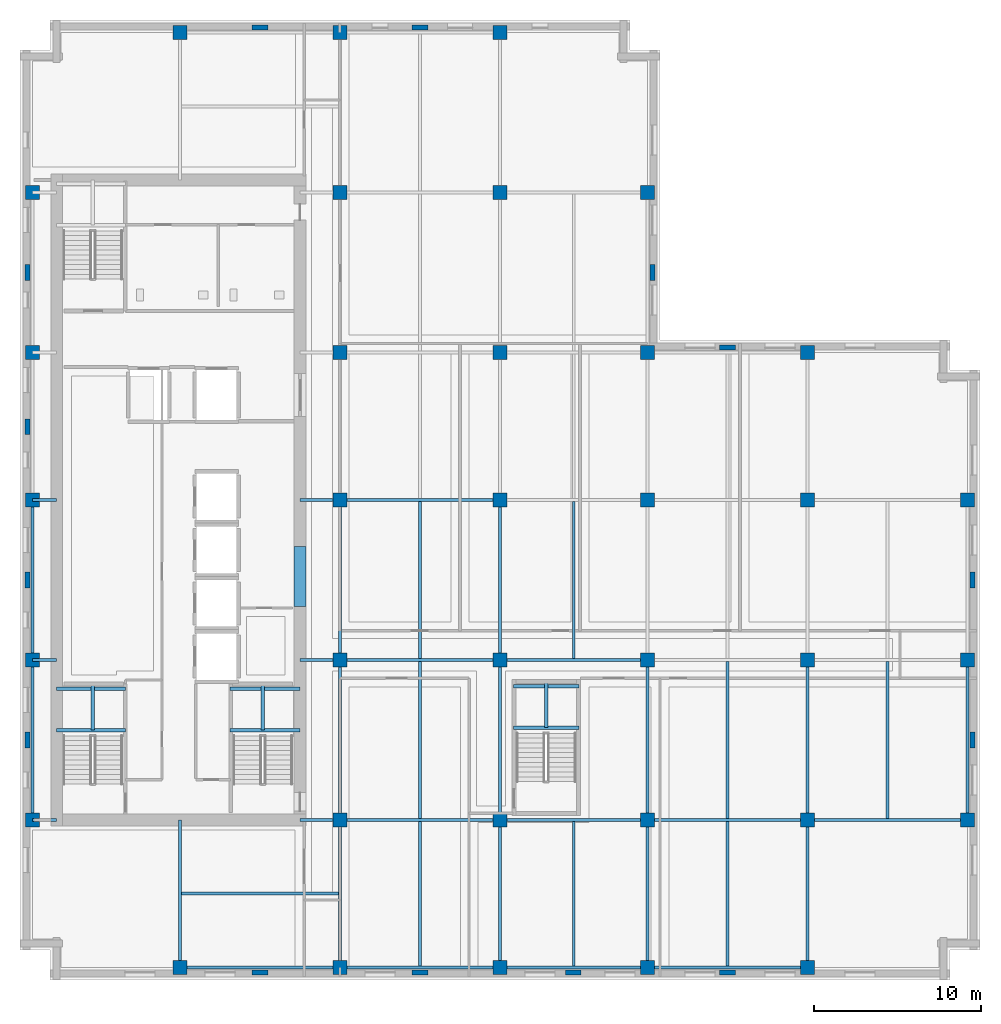
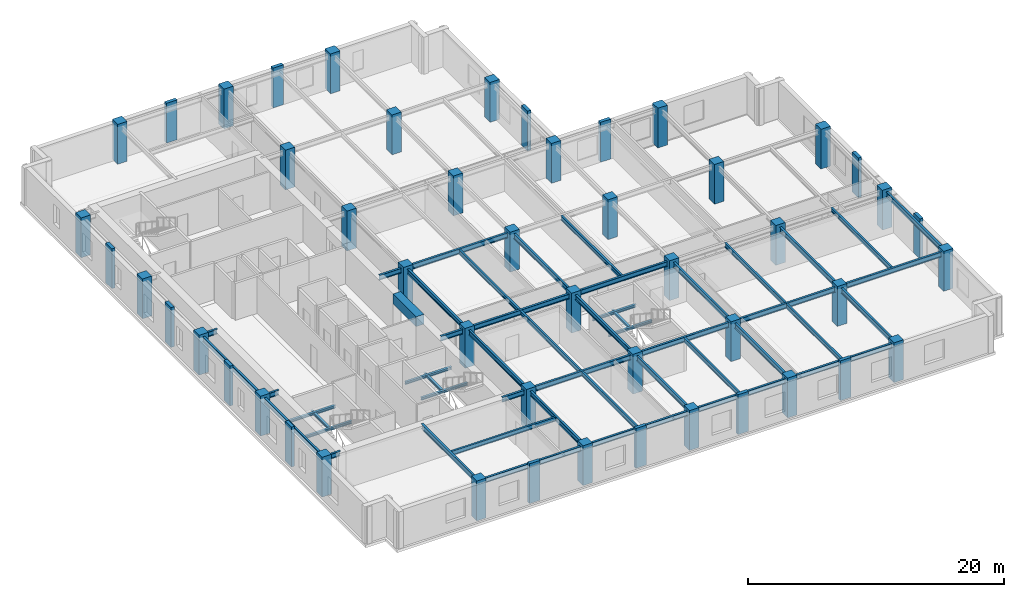
# One storey, part 1 of 11: 50 beams, 49 columns.
"""IFC4 building model written with IfcOpenShell, lengths in metres."""

from ifc_helpers import new_model, si_unit, direction, frame, origin, origin_2d, place, context, subcontext, project, spatial, rectangle, i_section, extrude, material, material_profile, profile_set, type_object, element, save


model = new_model("IFC4")

# Units and contexts
model_context = context("Model", 3, precision=1e-05, world=origin(), true_north=direction((0.0, 1.0)))
body_context = subcontext(model_context, "Body", "Model", "MODEL_VIEW")
ifc_project = project(units=[si_unit("LENGTHUNIT", "METRE"), si_unit("AREAUNIT", "SQUARE_METRE"), si_unit("VOLUMEUNIT", "CUBIC_METRE"), si_unit("PLANEANGLEUNIT", "RADIAN"), si_unit("MASSUNIT", "GRAM", prefix="KILO")], contexts=[model_context])

# Site, building, storey
site_placement = place(None, origin())
site = spatial("IfcSite", under=ifc_project, at=site_placement, CompositionType="ELEMENT")
building_placement = place(site_placement, origin())
building = spatial("IfcBuilding", under=site, at=building_placement, Name="Norrvale University Quadrangle", CompositionType="ELEMENT")
storey_placement = place(building_placement, frame((0.0, 0.0, 206.60009765625)))
storey = spatial("IfcBuildingStorey", under=building, at=storey_placement, Name="L52", CompositionType="ELEMENT", Elevation=206.60009765625)

# Columns
ifc_material_1 = material(Name="Red Manganese Brick Concrete C60/75", Category="concrete")
ifc_material_profile_1 = material_profile(ifc_material_1, rectangle(XDim=0.949951171875, YDim=0.300048828125, at=origin_2d()), Name="Red Manganese Brick Concrete C60/75")
ifc_profile_set_1 = profile_set([ifc_material_profile_1], Name="Red Manganese Brick Concrete C60/75")
column_type_1 = type_object("IfcColumnType", Name="Column Brick Pier 950x300", PredefinedType="PILASTER", material=ifc_profile_set_1)
for number, where, z_axis, x_axis, name in (
    (1, (0.449951171875, 14.39990234375, 0.0), (0.0, 0.0, 1.0), (0.0, 1.0, 0.0), "Exterior Brick Facade Pilaster L52-01"),
    (2, (0.449951171875, 24.0, 0.0), (0.0, 0.0, 1.0), (0.0, 1.0, 0.0), "Exterior Brick Facade Pilaster L52-02"),
    (3, (0.449951171875, 33.199951171875, 0.0), (0.0, 0.0, 1.0), (0.0, 1.0, 0.0), "Exterior Brick Facade Pilaster L52-03"),
    (4, (0.449951171875, 42.449951171875, 0.0), (0.0, 0.0, 1.0), (0.0, 1.0, 0.0), "Exterior Brick Facade Pilaster L52-04"),
    (5, (14.39990234375, 0.449951171875, 0.0), (0.0, 0.0, 1.0), (1.0, 0.0, 0.0), "Exterior Brick Facade Pilaster L52-05"),
    (6, (24.0, 0.449951171875, 0.0), (0.0, 0.0, 1.0), (1.0, 0.0, 0.0), "Exterior Brick Facade Pilaster L52-06"),
    (7, (33.199951171875, 0.449951171875, 0.0), (0.0, 0.0, 1.0), (1.0, 0.0, 0.0), "Exterior Brick Facade Pilaster L52-07"),
    (8, (42.449951171875, 0.449951171875, 0.0), (0.0, 0.0, 1.0), (1.0, 0.0, 0.0), "Exterior Brick Facade Pilaster L52-08"),
    (9, (57.14990234375, 14.39990234375, 0.0), (0.0, 0.0, 1.0), (0.0, 1.0, 0.0), "Exterior Brick Facade Pilaster L52-09"),
    (10, (57.14990234375, 24.0, 0.0), (0.0, 0.0, 1.0), (0.0, 1.0, 0.0), "Exterior Brick Facade Pilaster L52-10"),
    (11, (14.39990234375, 57.14990234375, 0.0), (0.0, 0.0, 1.0), (1.0, 0.0, 0.0), "Exterior Brick Facade Pilaster L52-11"),
    (12, (24.0, 57.14990234375, 0.0), (0.0, 0.0, 1.0), (1.0, 0.0, 0.0), "Exterior Brick Facade Pilaster L52-12"),
    (13, (37.949951171875, 42.449951171875, 0.0), (0.0, 0.0, 1.0), (0.0, 1.0, 0.0), "Exterior Brick Facade Pilaster L52-13"),
    (14, (42.449951171875, 37.949951171875, 0.0), (0.0, 0.0, 1.0), (1.0, 0.0, 0.0), "Exterior Brick Facade Pilaster L52-14"),
):
    element("IfcColumn", number, at=place(storey_placement, frame(where, z_axis=z_axis, x_axis=x_axis)), inside=storey, type_object=column_type_1, Name=name, PredefinedType="PILASTER", context=body_context, shape_type="SweptSolid", body=[
        extrude(rectangle(XDim=0.949951171875, YDim=0.300048828125, at=origin_2d()), origin(), (0.0, 0.0, 1.0), 3.7998046875),
    ])
ifc_material_2 = material(Name="Concrete C60/75", Category="concrete")
ifc_material_profile_2 = material_profile(ifc_material_2, rectangle(XDim=0.85009765625, YDim=0.85009765625, at=origin_2d()), Name="Concrete C60/75")
ifc_profile_set_2 = profile_set([ifc_material_profile_2], Name="Concrete C60/75")
column_type_2 = type_object("IfcColumnType", Name="Column Tower Z3 850x850", PredefinedType="COLUMN", material=ifc_profile_set_2)
for number, where, z_axis, x_axis, name in (
    (15, (0.75, 9.60009765625, 0.0), (0.0, 0.0, 1.0), (1.0, 0.0, 0.0), "Tower Column L52-T01"),
    (16, (0.75, 19.199951171875, 0.0), (0.0, 0.0, 1.0), (1.0, 0.0, 0.0), "Tower Column L52-T02"),
    (17, (0.75, 28.800048828125, 0.0), (0.0, 0.0, 1.0), (1.0, 0.0, 0.0), "Tower Column L52-T03"),
    (18, (0.75, 37.64990234375, 0.0), (0.0, 0.0, 1.0), (1.0, 0.0, 0.0), "Tower Column L52-T04"),
    (19, (0.75, 47.25, 0.0), (0.0, 0.0, 1.0), (1.0, 0.0, 0.0), "Tower Column L52-T05"),
    (20, (9.60009765625, 0.75, 0.0), (0.0, 0.0, 1.0), (1.0, 0.0, 0.0), "Tower Column L52-T06"),
    (21, (9.60009765625, 56.85009765625, 0.0), (0.0, 0.0, 1.0), (1.0, 0.0, 0.0), "Tower Column L52-T07"),
    (22, (19.199951171875, 0.75, 0.0), (0.0, 0.0, 1.0), (1.0, 0.0, 0.0), "Tower Column L52-T08"),
    (23, (19.199951171875, 9.60009765625, 0.0), (0.0, 0.0, 1.0), (1.0, 0.0, 0.0), "Tower Column L52-T09"),
    (24, (19.199951171875, 19.199951171875, 0.0), (0.0, 0.0, 1.0), (1.0, 0.0, 0.0), "Tower Column L52-T10"),
    (25, (19.199951171875, 28.800048828125, 0.0), (0.0, 0.0, 1.0), (1.0, 0.0, 0.0), "Tower Column L52-T11"),
    (26, (19.199951171875, 37.64990234375, 0.0), (0.0, 0.0, 1.0), (1.0, 0.0, 0.0), "Tower Column L52-T12"),
    (27, (19.199951171875, 47.25, 0.0), (0.0, 0.0, 1.0), (1.0, 0.0, 0.0), "Tower Column L52-T13"),
    (28, (19.199951171875, 56.85009765625, 0.0), (0.0, 0.0, 1.0), (1.0, 0.0, 0.0), "Tower Column L52-T14"),
    (29, (28.800048828125, 0.75, 0.0), (0.0, 0.0, 1.0), (1.0, 0.0, 0.0), "Tower Column L52-T15"),
    (30, (28.800048828125, 9.60009765625, 0.0), (0.0, 0.0, 1.0), (1.0, 0.0, 0.0), "Tower Column L52-T16"),
    (31, (28.800048828125, 19.199951171875, 0.0), (0.0, 0.0, 1.0), (1.0, 0.0, 0.0), "Tower Column L52-T17"),
    (32, (28.800048828125, 28.800048828125, 0.0), (0.0, 0.0, 1.0), (1.0, 0.0, 0.0), "Tower Column L52-T18"),
    (33, (28.800048828125, 37.64990234375, 0.0), (0.0, 0.0, 1.0), (1.0, 0.0, 0.0), "Tower Column L52-T19"),
    (34, (28.800048828125, 47.25, 0.0), (0.0, 0.0, 1.0), (1.0, 0.0, 0.0), "Tower Column L52-T20"),
    (35, (28.800048828125, 56.85009765625, 0.0), (0.0, 0.0, 1.0), (1.0, 0.0, 0.0), "Tower Column L52-T21"),
    (36, (37.64990234375, 0.75, 0.0), (0.0, 0.0, 1.0), (1.0, 0.0, 0.0), "Tower Column L52-T22"),
    (37, (37.64990234375, 9.60009765625, 0.0), (0.0, 0.0, 1.0), (1.0, 0.0, 0.0), "Tower Column L52-T23"),
    (38, (37.64990234375, 19.199951171875, 0.0), (0.0, 0.0, 1.0), (1.0, 0.0, 0.0), "Tower Column L52-T24"),
    (39, (37.64990234375, 28.800048828125, 0.0), (0.0, 0.0, 1.0), (1.0, 0.0, 0.0), "Tower Column L52-T25"),
    (40, (37.64990234375, 37.64990234375, 0.0), (0.0, 0.0, 1.0), (1.0, 0.0, 0.0), "Tower Column L52-T26"),
    (41, (37.64990234375, 47.25, 0.0), (0.0, 0.0, 1.0), (1.0, 0.0, 0.0), "Tower Column L52-T27"),
    (42, (47.25, 0.75, 0.0), (0.0, 0.0, 1.0), (1.0, 0.0, 0.0), "Tower Column L52-T28"),
    (43, (47.25, 9.60009765625, 0.0), (0.0, 0.0, 1.0), (1.0, 0.0, 0.0), "Tower Column L52-T29"),
    (44, (47.25, 19.199951171875, 0.0), (0.0, 0.0, 1.0), (1.0, 0.0, 0.0), "Tower Column L52-T30"),
    (45, (47.25, 28.800048828125, 0.0), (0.0, 0.0, 1.0), (1.0, 0.0, 0.0), "Tower Column L52-T31"),
    (46, (47.25, 37.64990234375, 0.0), (0.0, 0.0, 1.0), (1.0, 0.0, 0.0), "Tower Column L52-T32"),
    (47, (56.85009765625, 9.60009765625, 0.0), (0.0, 0.0, 1.0), (1.0, 0.0, 0.0), "Tower Column L52-T33"),
    (48, (56.85009765625, 19.199951171875, 0.0), (0.0, 0.0, 1.0), (1.0, 0.0, 0.0), "Tower Column L52-T34"),
    (49, (56.85009765625, 28.800048828125, 0.0), (0.0, 0.0, 1.0), (1.0, 0.0, 0.0), "Tower Column L52-T35"),
):
    element("IfcColumn", number, at=place(storey_placement, frame(where, z_axis=z_axis, x_axis=x_axis)), inside=storey, type_object=column_type_2, Name=name, PredefinedType="COLUMN", context=body_context, shape_type="SweptSolid", body=[
        extrude(rectangle(XDim=0.85009765625, YDim=0.85009765625, at=origin_2d()), origin(), (0.0, 0.0, 1.0), 3.7998046875),
    ])

# Beams
ifc_material_3 = material(Name="Concrete C80/95", Category="concrete")
ifc_material_profile_3 = material_profile(ifc_material_3, rectangle(XDim=0.699951171875, YDim=0.949951171875, at=origin_2d()), Name="Concrete C80/95")
ifc_profile_set_3 = profile_set([ifc_material_profile_3], Name="Concrete C80/95")
beam_type_1 = type_object("IfcBeamType", Name="Beam Core Link 700x950", PredefinedType="LINTEL", material=ifc_profile_set_3)
beam_1_placement = place(storey_placement, frame((16.800048828125, 22.39990234375, 3.06494140625), z_axis=(0.0, 1.0, 0.0), x_axis=(-1.0, 0.0, 0.0)))
element("IfcBeam", 50, at=beam_1_placement, inside=storey, type_object=beam_type_1, Name="Core Coupling Lintel Beam L52-1", PredefinedType="LINTEL", context=body_context, shape_type="SweptSolid", body=[
    extrude(rectangle(XDim=0.699951171875, YDim=0.949951171875, at=origin_2d()), origin(), (0.0, 0.0, 1.0), 3.60009765625),
])
ifc_material_4 = material(Name="Steel 350W", Category="steel")
ifc_material_profile_4 = material_profile(ifc_material_4, i_section(OverallWidth=0.194091796875, OverallDepth=0.468994140625, WebThickness=0.0126953125, FlangeThickness=0.0205078125, FilletRadius=0.012939453125, at=origin_2d()), Name="Steel 350W")
ifc_profile_set_4 = profile_set([ifc_material_profile_4], Name="Steel 350W")
beam_type_2 = type_object("IfcBeamType", Name="Beam Floor W460x106", PredefinedType="BEAM", material=ifc_profile_set_4)
beam_2_placement = place(storey_placement, frame((9.60009765625, 0.75, 3.305419921875), z_axis=(1.0, 0.0, 0.0), x_axis=(0.0, 1.0, 0.0)))
element("IfcBeam", 51, at=beam_2_placement, inside=storey, type_object=beam_type_2, Name="Beam Floor W460x106 BM-L52-GX001", PredefinedType="BEAM", context=body_context, shape_type="SweptSolid", body=[
    extrude(i_section(OverallWidth=0.194091796875, OverallDepth=0.468994140625, WebThickness=0.0126953125, FlangeThickness=0.0205078125, FilletRadius=0.012939453125, at=origin_2d()), origin(), (0.0, 0.0, 1.0), 9.599853515625),
])
beam_3_placement = place(storey_placement, frame((19.199951171875, 0.75, 3.305419921875), z_axis=(1.0, 0.0, 0.0), x_axis=(0.0, 1.0, 0.0)))
element("IfcBeam", 52, at=beam_3_placement, inside=storey, type_object=beam_type_2, Name="Beam Floor W460x106 BM-L52-GX002", PredefinedType="BEAM", context=body_context, shape_type="SweptSolid", body=[
    extrude(i_section(OverallWidth=0.194091796875, OverallDepth=0.468994140625, WebThickness=0.0126953125, FlangeThickness=0.0205078125, FilletRadius=0.012939453125, at=origin_2d()), origin(), (0.0, 0.0, 1.0), 9.60009765625),
])
beam_4_placement = place(storey_placement, frame((28.800048828125, 0.75, 3.305419921875), z_axis=(1.0, 0.0, 0.0), x_axis=(0.0, 1.0, 0.0)))
element("IfcBeam", 53, at=beam_4_placement, inside=storey, type_object=beam_type_2, Name="Beam Floor W460x106 BM-L52-GX003", PredefinedType="BEAM", context=body_context, shape_type="SweptSolid", body=[
    extrude(i_section(OverallWidth=0.194091796875, OverallDepth=0.468994140625, WebThickness=0.0126953125, FlangeThickness=0.0205078125, FilletRadius=0.012939453125, at=origin_2d()), origin(), (0.0, 0.0, 1.0), 8.849853515625),
])
for number, where, z_axis, x_axis, name in (
    (54, (37.64990234375, 0.75, 3.305419921875), (1.0, 0.0, 0.0), (0.0, 1.0, 0.0), "Beam Floor W460x106 BM-L52-GX004"),
    (55, (19.199951171875, 9.60009765625, 3.305419921875), (1.0, 0.0, 0.0), (0.0, 1.0, 0.0), "Beam Floor W460x106 BM-L52-GX005"),
):
    element("IfcBeam", number, at=place(storey_placement, frame(where, z_axis=z_axis, x_axis=x_axis)), inside=storey, type_object=beam_type_2, Name=name, PredefinedType="BEAM", context=body_context, shape_type="SweptSolid", body=[
        extrude(i_section(OverallWidth=0.194091796875, OverallDepth=0.468994140625, WebThickness=0.0126953125, FlangeThickness=0.0205078125, FilletRadius=0.012939453125, at=origin_2d()), origin(), (0.0, 0.0, 1.0), 9.60009765625),
    ])
beam_5_placement = place(storey_placement, frame((28.800048828125, 9.60009765625, 3.305419921875), z_axis=(1.0, 0.0, 0.0), x_axis=(0.0, 1.0, 0.0)))
element("IfcBeam", 56, at=beam_5_placement, inside=storey, type_object=beam_type_2, Name="Beam Floor W460x106 BM-L52-GX006", PredefinedType="BEAM", context=body_context, shape_type="SweptSolid", body=[
    extrude(i_section(OverallWidth=0.194091796875, OverallDepth=0.468994140625, WebThickness=0.0126953125, FlangeThickness=0.0205078125, FilletRadius=0.012939453125, at=origin_2d()), origin(), (0.0, 0.0, 1.0), 8.849853515625),
])
for number, where, z_axis, x_axis, name in (
    (57, (37.64990234375, 9.60009765625, 3.305419921875), (1.0, 0.0, 0.0), (0.0, 1.0, 0.0), "Beam Floor W460x106 BM-L52-GX007"),
    (58, (47.25, 9.60009765625, 3.305419921875), (1.0, 0.0, 0.0), (0.0, 1.0, 0.0), "Beam Floor W460x106 BM-L52-GX008"),
    (59, (19.199951171875, 19.199951171875, 3.305419921875), (1.0, 0.0, 0.0), (0.0, 1.0, 0.0), "Beam Floor W460x106 BM-L52-GX009"),
):
    element("IfcBeam", number, at=place(storey_placement, frame(where, z_axis=z_axis, x_axis=x_axis)), inside=storey, type_object=beam_type_2, Name=name, PredefinedType="BEAM", context=body_context, shape_type="SweptSolid", body=[
        extrude(i_section(OverallWidth=0.194091796875, OverallDepth=0.468994140625, WebThickness=0.0126953125, FlangeThickness=0.0205078125, FilletRadius=0.012939453125, at=origin_2d()), origin(), (0.0, 0.0, 1.0), 9.60009765625),
    ])
beam_6_placement = place(storey_placement, frame((28.800048828125, 19.199951171875, 3.305419921875), z_axis=(1.0, 0.0, 0.0), x_axis=(0.0, 1.0, 0.0)))
element("IfcBeam", 60, at=beam_6_placement, inside=storey, type_object=beam_type_2, Name="Beam Floor W460x106 BM-L52-GX010", PredefinedType="BEAM", context=body_context, shape_type="SweptSolid", body=[
    extrude(i_section(OverallWidth=0.194091796875, OverallDepth=0.468994140625, WebThickness=0.0126953125, FlangeThickness=0.0205078125, FilletRadius=0.012939453125, at=origin_2d()), origin(), (0.0, 0.0, 1.0), 8.849853515625),
])
beam_7_placement = place(storey_placement, frame((19.199951171875, 28.800048828125, 3.305419921875), z_axis=(1.0, 0.0, 0.0), x_axis=(0.0, 1.0, 0.0)))
element("IfcBeam", 61, at=beam_7_placement, inside=storey, type_object=beam_type_2, Name="Beam Floor W460x106 BM-L52-GX013", PredefinedType="BEAM", context=body_context, shape_type="SweptSolid", body=[
    extrude(i_section(OverallWidth=0.194091796875, OverallDepth=0.468994140625, WebThickness=0.0126953125, FlangeThickness=0.0205078125, FilletRadius=0.012939453125, at=origin_2d()), origin(), (0.0, 0.0, 1.0), 9.60009765625),
])
beam_8_placement = place(storey_placement, frame((0.75, 9.60009765625, 3.305419921875), z_axis=(0.0, 1.0, 0.0), x_axis=(-1.0, 0.0, 0.0)))
element("IfcBeam", 62, at=beam_8_placement, inside=storey, type_object=beam_type_2, Name="Beam Floor W460x106 BM-L52-GY024", PredefinedType="BEAM", context=body_context, shape_type="SweptSolid", body=[
    extrude(i_section(OverallWidth=0.194091796875, OverallDepth=0.468994140625, WebThickness=0.0126953125, FlangeThickness=0.0205078125, FilletRadius=0.012939453125, at=origin_2d()), origin(), (0.0, 0.0, 1.0), 9.599853515625),
])
beam_9_placement = place(storey_placement, frame((0.75, 19.199951171875, 3.305419921875), z_axis=(0.0, 1.0, 0.0), x_axis=(-1.0, 0.0, 0.0)))
element("IfcBeam", 63, at=beam_9_placement, inside=storey, type_object=beam_type_2, Name="Beam Floor W460x106 BM-L52-GY025", PredefinedType="BEAM", context=body_context, shape_type="SweptSolid", body=[
    extrude(i_section(OverallWidth=0.194091796875, OverallDepth=0.468994140625, WebThickness=0.0126953125, FlangeThickness=0.0205078125, FilletRadius=0.012939453125, at=origin_2d()), origin(), (0.0, 0.0, 1.0), 9.60009765625),
])
beam_10_placement = place(storey_placement, frame((19.199951171875, 0.75, 3.305419921875), z_axis=(0.0, 1.0, 0.0), x_axis=(-1.0, 0.0, 0.0)))
element("IfcBeam", 64, at=beam_10_placement, inside=storey, type_object=beam_type_2, Name="Beam Floor W460x106 BM-L52-GY028", PredefinedType="BEAM", context=body_context, shape_type="SweptSolid", body=[
    extrude(i_section(OverallWidth=0.194091796875, OverallDepth=0.468994140625, WebThickness=0.0126953125, FlangeThickness=0.0205078125, FilletRadius=0.012939453125, at=origin_2d()), origin(), (0.0, 0.0, 1.0), 8.85009765625),
])
beam_11_placement = place(storey_placement, frame((19.199951171875, 9.60009765625, 3.305419921875), z_axis=(0.0, 1.0, 0.0), x_axis=(-1.0, 0.0, 0.0)))
element("IfcBeam", 65, at=beam_11_placement, inside=storey, type_object=beam_type_2, Name="Beam Floor W460x106 BM-L52-GY029", PredefinedType="BEAM", context=body_context, shape_type="SweptSolid", body=[
    extrude(i_section(OverallWidth=0.194091796875, OverallDepth=0.468994140625, WebThickness=0.0126953125, FlangeThickness=0.0205078125, FilletRadius=0.012939453125, at=origin_2d()), origin(), (0.0, 0.0, 1.0), 9.599853515625),
])
beam_12_placement = place(storey_placement, frame((19.199951171875, 19.199951171875, 3.305419921875), z_axis=(0.0, 1.0, 0.0), x_axis=(-1.0, 0.0, 0.0)))
element("IfcBeam", 66, at=beam_12_placement, inside=storey, type_object=beam_type_2, Name="Beam Floor W460x106 BM-L52-GY030", PredefinedType="BEAM", context=body_context, shape_type="SweptSolid", body=[
    extrude(i_section(OverallWidth=0.194091796875, OverallDepth=0.468994140625, WebThickness=0.0126953125, FlangeThickness=0.0205078125, FilletRadius=0.012939453125, at=origin_2d()), origin(), (0.0, 0.0, 1.0), 9.60009765625),
])
beam_13_placement = place(storey_placement, frame((28.800048828125, 0.75, 3.305419921875), z_axis=(0.0, 1.0, 0.0), x_axis=(-1.0, 0.0, 0.0)))
element("IfcBeam", 67, at=beam_13_placement, inside=storey, type_object=beam_type_2, Name="Beam Floor W460x106 BM-L52-GY034", PredefinedType="BEAM", context=body_context, shape_type="SweptSolid", body=[
    extrude(i_section(OverallWidth=0.194091796875, OverallDepth=0.468994140625, WebThickness=0.0126953125, FlangeThickness=0.0205078125, FilletRadius=0.012939453125, at=origin_2d()), origin(), (0.0, 0.0, 1.0), 8.85009765625),
])
beam_14_placement = place(storey_placement, frame((28.800048828125, 9.60009765625, 3.305419921875), z_axis=(0.0, 1.0, 0.0), x_axis=(-1.0, 0.0, 0.0)))
element("IfcBeam", 68, at=beam_14_placement, inside=storey, type_object=beam_type_2, Name="Beam Floor W460x106 BM-L52-GY035", PredefinedType="BEAM", context=body_context, shape_type="SweptSolid", body=[
    extrude(i_section(OverallWidth=0.194091796875, OverallDepth=0.468994140625, WebThickness=0.0126953125, FlangeThickness=0.0205078125, FilletRadius=0.012939453125, at=origin_2d()), origin(), (0.0, 0.0, 1.0), 9.599853515625),
])
beam_15_placement = place(storey_placement, frame((28.800048828125, 19.199951171875, 3.305419921875), z_axis=(0.0, 1.0, 0.0), x_axis=(-1.0, 0.0, 0.0)))
element("IfcBeam", 69, at=beam_15_placement, inside=storey, type_object=beam_type_2, Name="Beam Floor W460x106 BM-L52-GY036", PredefinedType="BEAM", context=body_context, shape_type="SweptSolid", body=[
    extrude(i_section(OverallWidth=0.194091796875, OverallDepth=0.468994140625, WebThickness=0.0126953125, FlangeThickness=0.0205078125, FilletRadius=0.012939453125, at=origin_2d()), origin(), (0.0, 0.0, 1.0), 9.60009765625),
])
beam_16_placement = place(storey_placement, frame((37.64990234375, 0.75, 3.305419921875), z_axis=(0.0, 1.0, 0.0), x_axis=(-1.0, 0.0, 0.0)))
element("IfcBeam", 70, at=beam_16_placement, inside=storey, type_object=beam_type_2, Name="Beam Floor W460x106 BM-L52-GY040", PredefinedType="BEAM", context=body_context, shape_type="SweptSolid", body=[
    extrude(i_section(OverallWidth=0.194091796875, OverallDepth=0.468994140625, WebThickness=0.0126953125, FlangeThickness=0.0205078125, FilletRadius=0.012939453125, at=origin_2d()), origin(), (0.0, 0.0, 1.0), 8.85009765625),
])
beam_17_placement = place(storey_placement, frame((37.64990234375, 9.60009765625, 3.305419921875), z_axis=(0.0, 1.0, 0.0), x_axis=(-1.0, 0.0, 0.0)))
element("IfcBeam", 71, at=beam_17_placement, inside=storey, type_object=beam_type_2, Name="Beam Floor W460x106 BM-L52-GY041", PredefinedType="BEAM", context=body_context, shape_type="SweptSolid", body=[
    extrude(i_section(OverallWidth=0.194091796875, OverallDepth=0.468994140625, WebThickness=0.0126953125, FlangeThickness=0.0205078125, FilletRadius=0.012939453125, at=origin_2d()), origin(), (0.0, 0.0, 1.0), 9.599853515625),
])
beam_18_placement = place(storey_placement, frame((47.25, 0.75, 3.305419921875), z_axis=(0.0, 1.0, 0.0), x_axis=(-1.0, 0.0, 0.0)))
element("IfcBeam", 72, at=beam_18_placement, inside=storey, type_object=beam_type_2, Name="Beam Floor W460x106 BM-L52-GY045", PredefinedType="BEAM", context=body_context, shape_type="SweptSolid", body=[
    extrude(i_section(OverallWidth=0.194091796875, OverallDepth=0.468994140625, WebThickness=0.0126953125, FlangeThickness=0.0205078125, FilletRadius=0.012939453125, at=origin_2d()), origin(), (0.0, 0.0, 1.0), 8.85009765625),
])
for number, where, z_axis, x_axis, name in (
    (73, (47.25, 9.60009765625, 3.305419921875), (0.0, 1.0, 0.0), (-1.0, 0.0, 0.0), "Beam Floor W460x106 BM-L52-GY046"),
    (74, (56.85009765625, 9.60009765625, 3.305419921875), (0.0, 1.0, 0.0), (-1.0, 0.0, 0.0), "Beam Floor W460x106 BM-L52-GY049"),
):
    element("IfcBeam", number, at=place(storey_placement, frame(where, z_axis=z_axis, x_axis=x_axis)), inside=storey, type_object=beam_type_2, Name=name, PredefinedType="BEAM", context=body_context, shape_type="SweptSolid", body=[
        extrude(i_section(OverallWidth=0.194091796875, OverallDepth=0.468994140625, WebThickness=0.0126953125, FlangeThickness=0.0205078125, FilletRadius=0.012939453125, at=origin_2d()), origin(), (0.0, 0.0, 1.0), 9.599853515625),
    ])
beam_19_placement = place(storey_placement, frame((0.75, 9.60009765625, 3.305419921875), z_axis=(1.0, 0.0, 0.0), x_axis=(0.0, 1.0, 0.0)))
element("IfcBeam", 75, at=beam_19_placement, inside=storey, type_object=beam_type_2, Name="Beam Floor W460x106 BM-L52-GCW051", PredefinedType="BEAM", context=body_context, shape_type="SweptSolid", body=[
    extrude(i_section(OverallWidth=0.194091796875, OverallDepth=0.468994140625, WebThickness=0.0126953125, FlangeThickness=0.0205078125, FilletRadius=0.012939453125, at=origin_2d()), origin(), (0.0, 0.0, 1.0), 1.449951171875),
])
beam_20_placement = place(storey_placement, frame((16.800048828125, 9.60009765625, 3.305419921875), z_axis=(1.0, 0.0, 0.0), x_axis=(0.0, 1.0, 0.0)))
element("IfcBeam", 76, at=beam_20_placement, inside=storey, type_object=beam_type_2, Name="Beam Floor W460x106 BM-L52-GCE052", PredefinedType="BEAM", context=body_context, shape_type="SweptSolid", body=[
    extrude(i_section(OverallWidth=0.194091796875, OverallDepth=0.468994140625, WebThickness=0.0126953125, FlangeThickness=0.0205078125, FilletRadius=0.012939453125, at=origin_2d()), origin(), (0.0, 0.0, 1.0), 2.39990234375),
])
beam_21_placement = place(storey_placement, frame((0.75, 19.199951171875, 3.305419921875), z_axis=(1.0, 0.0, 0.0), x_axis=(0.0, 1.0, 0.0)))
element("IfcBeam", 77, at=beam_21_placement, inside=storey, type_object=beam_type_2, Name="Beam Floor W460x106 BM-L52-GCW053", PredefinedType="BEAM", context=body_context, shape_type="SweptSolid", body=[
    extrude(i_section(OverallWidth=0.194091796875, OverallDepth=0.468994140625, WebThickness=0.0126953125, FlangeThickness=0.0205078125, FilletRadius=0.012939453125, at=origin_2d()), origin(), (0.0, 0.0, 1.0), 1.449951171875),
])
beam_22_placement = place(storey_placement, frame((16.800048828125, 19.199951171875, 3.305419921875), z_axis=(1.0, 0.0, 0.0), x_axis=(0.0, 1.0, 0.0)))
element("IfcBeam", 78, at=beam_22_placement, inside=storey, type_object=beam_type_2, Name="Beam Floor W460x106 BM-L52-GCE054", PredefinedType="BEAM", context=body_context, shape_type="SweptSolid", body=[
    extrude(i_section(OverallWidth=0.194091796875, OverallDepth=0.468994140625, WebThickness=0.0126953125, FlangeThickness=0.0205078125, FilletRadius=0.012939453125, at=origin_2d()), origin(), (0.0, 0.0, 1.0), 2.39990234375),
])
beam_23_placement = place(storey_placement, frame((0.75, 28.800048828125, 3.305419921875), z_axis=(1.0, 0.0, 0.0), x_axis=(0.0, 1.0, 0.0)))
element("IfcBeam", 79, at=beam_23_placement, inside=storey, type_object=beam_type_2, Name="Beam Floor W460x106 BM-L52-GCW055", PredefinedType="BEAM", context=body_context, shape_type="SweptSolid", body=[
    extrude(i_section(OverallWidth=0.194091796875, OverallDepth=0.468994140625, WebThickness=0.0126953125, FlangeThickness=0.0205078125, FilletRadius=0.012939453125, at=origin_2d()), origin(), (0.0, 0.0, 1.0), 1.449951171875),
])
beam_24_placement = place(storey_placement, frame((16.800048828125, 28.800048828125, 3.305419921875), z_axis=(1.0, 0.0, 0.0), x_axis=(0.0, 1.0, 0.0)))
element("IfcBeam", 80, at=beam_24_placement, inside=storey, type_object=beam_type_2, Name="Beam Floor W460x106 BM-L52-GCE056", PredefinedType="BEAM", context=body_context, shape_type="SweptSolid", body=[
    extrude(i_section(OverallWidth=0.194091796875, OverallDepth=0.468994140625, WebThickness=0.0126953125, FlangeThickness=0.0205078125, FilletRadius=0.012939453125, at=origin_2d()), origin(), (0.0, 0.0, 1.0), 2.39990234375),
])
beam_25_placement = place(storey_placement, frame((9.60009765625, 0.75, 3.305419921875), z_axis=(0.0, 1.0, 0.0), x_axis=(-1.0, 0.0, 0.0)))
element("IfcBeam", 81, at=beam_25_placement, inside=storey, type_object=beam_type_2, Name="Beam Floor W460x106 BM-L52-GCS077", PredefinedType="BEAM", context=body_context, shape_type="SweptSolid", body=[
    extrude(i_section(OverallWidth=0.194091796875, OverallDepth=0.468994140625, WebThickness=0.0126953125, FlangeThickness=0.0205078125, FilletRadius=0.012939453125, at=origin_2d()), origin(), (0.0, 0.0, 1.0), 8.85009765625),
])
ifc_material_profile_5 = material_profile(ifc_material_4, i_section(OverallWidth=0.177978515625, OverallDepth=0.406982421875, WebThickness=0.0078125, FlangeThickness=0.0126953125, FilletRadius=0.011962890625, at=origin_2d()), Name="Steel 350W")
ifc_profile_set_5 = profile_set([ifc_material_profile_5], Name="Steel 350W")
beam_type_3 = type_object("IfcBeamType", Name="Beam Roof Purlin W410x60", PredefinedType="USERDEFINED", material=ifc_profile_set_5)
beam_26_placement = place(storey_placement, frame((24.0, 0.846923828125, 3.33642578125), z_axis=(0.0, 1.0, 0.0), x_axis=(-1.0, 0.0, 0.0)))
element("IfcBeam", 82, at=beam_26_placement, inside=storey, type_object=beam_type_3, Name="Beam Roof Purlin W410x60 BM-L52-J061", ObjectType="PURLIN", PredefinedType="USERDEFINED", context=body_context, shape_type="SweptSolid", body=[
    extrude(i_section(OverallWidth=0.177978515625, OverallDepth=0.406982421875, WebThickness=0.0078125, FlangeThickness=0.0126953125, FilletRadius=0.011962890625, at=origin_2d()), origin(), (0.0, 0.0, 1.0), 8.656005859375),
])
beam_27_placement = place(storey_placement, frame((24.0, 9.697021484375, 3.33642578125), z_axis=(0.0, 1.0, 0.0), x_axis=(-1.0, 0.0, 0.0)))
element("IfcBeam", 83, at=beam_27_placement, inside=storey, type_object=beam_type_3, Name="Beam Roof Purlin W410x60 BM-L52-J062", ObjectType="PURLIN", PredefinedType="USERDEFINED", context=body_context, shape_type="SweptSolid", body=[
    extrude(i_section(OverallWidth=0.177978515625, OverallDepth=0.406982421875, WebThickness=0.0078125, FlangeThickness=0.0126953125, FilletRadius=0.011962890625, at=origin_2d()), origin(), (0.0, 0.0, 1.0), 9.406005859375),
])
beam_28_placement = place(storey_placement, frame((24.0, 19.297119140625, 3.33642578125), z_axis=(0.0, 1.0, 0.0), x_axis=(-1.0, 0.0, 0.0)))
element("IfcBeam", 84, at=beam_28_placement, inside=storey, type_object=beam_type_3, Name="Beam Roof Purlin W410x60 BM-L52-J063", ObjectType="PURLIN", PredefinedType="USERDEFINED", context=body_context, shape_type="SweptSolid", body=[
    extrude(i_section(OverallWidth=0.177978515625, OverallDepth=0.406982421875, WebThickness=0.0078125, FlangeThickness=0.0126953125, FilletRadius=0.011962890625, at=origin_2d()), origin(), (0.0, 0.0, 1.0), 9.40576171875),
])
beam_29_placement = place(storey_placement, frame((33.22509765625, 0.846923828125, 3.33642578125), z_axis=(0.0, 1.0, 0.0), x_axis=(-1.0, 0.0, 0.0)))
element("IfcBeam", 85, at=beam_29_placement, inside=storey, type_object=beam_type_3, Name="Beam Roof Purlin W410x60 BM-L52-J067", ObjectType="PURLIN", PredefinedType="USERDEFINED", context=body_context, shape_type="SweptSolid", body=[
    extrude(i_section(OverallWidth=0.177978515625, OverallDepth=0.406982421875, WebThickness=0.0078125, FlangeThickness=0.0126953125, FilletRadius=0.011962890625, at=origin_2d()), origin(), (0.0, 0.0, 1.0), 8.656005859375),
])
beam_30_placement = place(storey_placement, frame((33.22509765625, 19.297119140625, 3.33642578125), z_axis=(0.0, 1.0, 0.0), x_axis=(-1.0, 0.0, 0.0)))
element("IfcBeam", 86, at=beam_30_placement, inside=storey, type_object=beam_type_3, Name="Beam Roof Purlin W410x60 BM-L52-J068", ObjectType="PURLIN", PredefinedType="USERDEFINED", context=body_context, shape_type="SweptSolid", body=[
    extrude(i_section(OverallWidth=0.177978515625, OverallDepth=0.406982421875, WebThickness=0.0078125, FlangeThickness=0.0126953125, FilletRadius=0.011962890625, at=origin_2d()), origin(), (0.0, 0.0, 1.0), 9.40576171875),
])
beam_31_placement = place(storey_placement, frame((42.449951171875, 0.846923828125, 3.33642578125), z_axis=(0.0, 1.0, 0.0), x_axis=(-1.0, 0.0, 0.0)))
element("IfcBeam", 87, at=beam_31_placement, inside=storey, type_object=beam_type_3, Name="Beam Roof Purlin W410x60 BM-L52-J071", ObjectType="PURLIN", PredefinedType="USERDEFINED", context=body_context, shape_type="SweptSolid", body=[
    extrude(i_section(OverallWidth=0.177978515625, OverallDepth=0.406982421875, WebThickness=0.0078125, FlangeThickness=0.0126953125, FilletRadius=0.011962890625, at=origin_2d()), origin(), (0.0, 0.0, 1.0), 8.656005859375),
])
for number, where, z_axis, x_axis, name in (
    (88, (42.449951171875, 9.697021484375, 3.33642578125), (0.0, 1.0, 0.0), (-1.0, 0.0, 0.0), "Beam Roof Purlin W410x60 BM-L52-J072"),
    (89, (52.050048828125, 9.697021484375, 3.33642578125), (0.0, 1.0, 0.0), (-1.0, 0.0, 0.0), "Beam Roof Purlin W410x60 BM-L52-J075"),
    (90, (9.697021484375, 5.199951171875, 3.33642578125), (1.0, 0.0, 0.0), (0.0, 1.0, 0.0), "Beam Roof Purlin W410x60 BM-L52-JCS078"),
):
    element("IfcBeam", number, at=place(storey_placement, frame(where, z_axis=z_axis, x_axis=x_axis)), inside=storey, type_object=beam_type_3, Name=name, ObjectType="PURLIN", PredefinedType="USERDEFINED", context=body_context, shape_type="SweptSolid", body=[
        extrude(i_section(OverallWidth=0.177978515625, OverallDepth=0.406982421875, WebThickness=0.0078125, FlangeThickness=0.0126953125, FilletRadius=0.011962890625, at=origin_2d()), origin(), (0.0, 0.0, 1.0), 9.406005859375),
    ])
ifc_material_profile_6 = material_profile(ifc_material_4, i_section(OverallWidth=0.201904296875, OverallDepth=0.2470703125, WebThickness=0.00732421875, FlangeThickness=0.010986328125, FilletRadius=0.011962890625, at=origin_2d()), Name="Steel 350W")
ifc_profile_set_6 = profile_set([ifc_material_profile_6], Name="Steel 350W")
beam_type_4 = type_object("IfcBeamType", Name="Beam Stair W250x49", PredefinedType="BEAM", material=ifc_profile_set_6)
for number, where, z_axis, x_axis, name in (
    (91, (2.199951171875, 14.989990234375, 1.576416015625), (1.0, 0.0, 0.0), (0.0, 1.0, 0.0), "Stair Mid-Landing Front Beam ST-01 L52"),
    (92, (2.199951171875, 17.469970703125, 1.576416015625), (1.0, 0.0, 0.0), (0.0, 1.0, 0.0), "Stair Mid-Landing Rear Beam ST-01 L52"),
):
    element("IfcBeam", number, at=place(storey_placement, frame(where, z_axis=z_axis, x_axis=x_axis)), inside=storey, type_object=beam_type_4, Name=name, PredefinedType="BEAM", context=body_context, shape_type="SweptSolid", body=[
        extrude(i_section(OverallWidth=0.201904296875, OverallDepth=0.2470703125, WebThickness=0.00732421875, FlangeThickness=0.010986328125, FilletRadius=0.011962890625, at=origin_2d()), origin(), (0.0, 0.0, 1.0), 4.14013671875),
    ])
for number, where, z_axis, x_axis, name in (
    (93, (12.610107421875, 14.989990234375, 1.576416015625), (1.0, 0.0, 0.0), (0.0, 1.0, 0.0), "Stair Mid-Landing Front Beam ST-03 L52"),
    (94, (12.610107421875, 17.469970703125, 1.576416015625), (1.0, 0.0, 0.0), (0.0, 1.0, 0.0), "Stair Mid-Landing Rear Beam ST-03 L52"),
):
    element("IfcBeam", number, at=place(storey_placement, frame(where, z_axis=z_axis, x_axis=x_axis)), inside=storey, type_object=beam_type_4, Name=name, PredefinedType="BEAM", context=body_context, shape_type="SweptSolid", body=[
        extrude(i_section(OverallWidth=0.201904296875, OverallDepth=0.2470703125, WebThickness=0.00732421875, FlangeThickness=0.010986328125, FilletRadius=0.011962890625, at=origin_2d()), origin(), (0.0, 0.0, 1.0), 4.18994140625),
    ])
for number, where, z_axis, x_axis, name in (
    (95, (29.610107421875, 15.139892578125, 1.576416015625), (1.0, 0.0, 0.0), (0.0, 1.0, 0.0), "Stair Mid-Landing Front Beam ST-04 L52"),
    (96, (29.610107421875, 17.6201171875, 1.576416015625), (1.0, 0.0, 0.0), (0.0, 1.0, 0.0), "Stair Mid-Landing Rear Beam ST-04 L52"),
):
    element("IfcBeam", number, at=place(storey_placement, frame(where, z_axis=z_axis, x_axis=x_axis)), inside=storey, type_object=beam_type_4, Name=name, PredefinedType="BEAM", context=body_context, shape_type="SweptSolid", body=[
        extrude(i_section(OverallWidth=0.201904296875, OverallDepth=0.2470703125, WebThickness=0.00732421875, FlangeThickness=0.010986328125, FilletRadius=0.011962890625, at=origin_2d()), origin(), (0.0, 0.0, 1.0), 3.929931640625),
    ])
ifc_material_profile_7 = material_profile(ifc_material_4, i_section(OverallWidth=0.202880859375, OverallDepth=0.202880859375, WebThickness=0.007080078125, FlangeThickness=0.010986328125, FilletRadius=0.010009765625, at=origin_2d()), Name="Steel 350W")
ifc_profile_set_7 = profile_set([ifc_material_profile_7], Name="Steel 350W")
beam_type_5 = type_object("IfcBeamType", Name="Beam Trim W200x46", PredefinedType="BEAM", material=ifc_profile_set_7)
for number, where, z_axis, x_axis, name in (
    (97, (4.375, 14.989990234375, 1.598388671875), (0.0, 1.0, 0.0), (-1.0, 0.0, 0.0), "Stair Mid-Landing Cross Beam ST-01 L52"),
    (98, (14.574951171875, 14.989990234375, 1.598388671875), (0.0, 1.0, 0.0), (-1.0, 0.0, 0.0), "Stair Mid-Landing Cross Beam ST-03 L52"),
    (99, (31.574951171875, 15.139892578125, 1.598388671875), (0.0, 1.0, 0.0), (-1.0, 0.0, 0.0), "Stair Mid-Landing Cross Beam ST-04 L52"),
):
    element("IfcBeam", number, at=place(storey_placement, frame(where, z_axis=z_axis, x_axis=x_axis)), inside=storey, type_object=beam_type_5, Name=name, PredefinedType="BEAM", context=body_context, shape_type="SweptSolid", body=[
        extrude(i_section(OverallWidth=0.202880859375, OverallDepth=0.202880859375, WebThickness=0.007080078125, FlangeThickness=0.010986328125, FilletRadius=0.010009765625, at=origin_2d()), origin(), (0.0, 0.0, 1.0), 2.800048828125),
    ])

save(model, "model.ifc")
